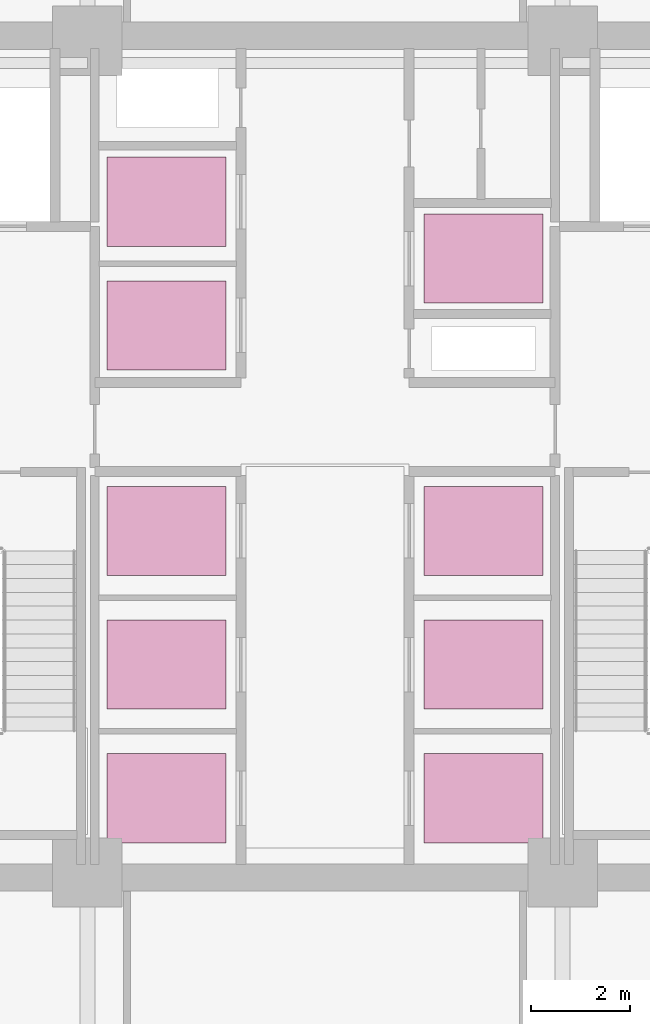
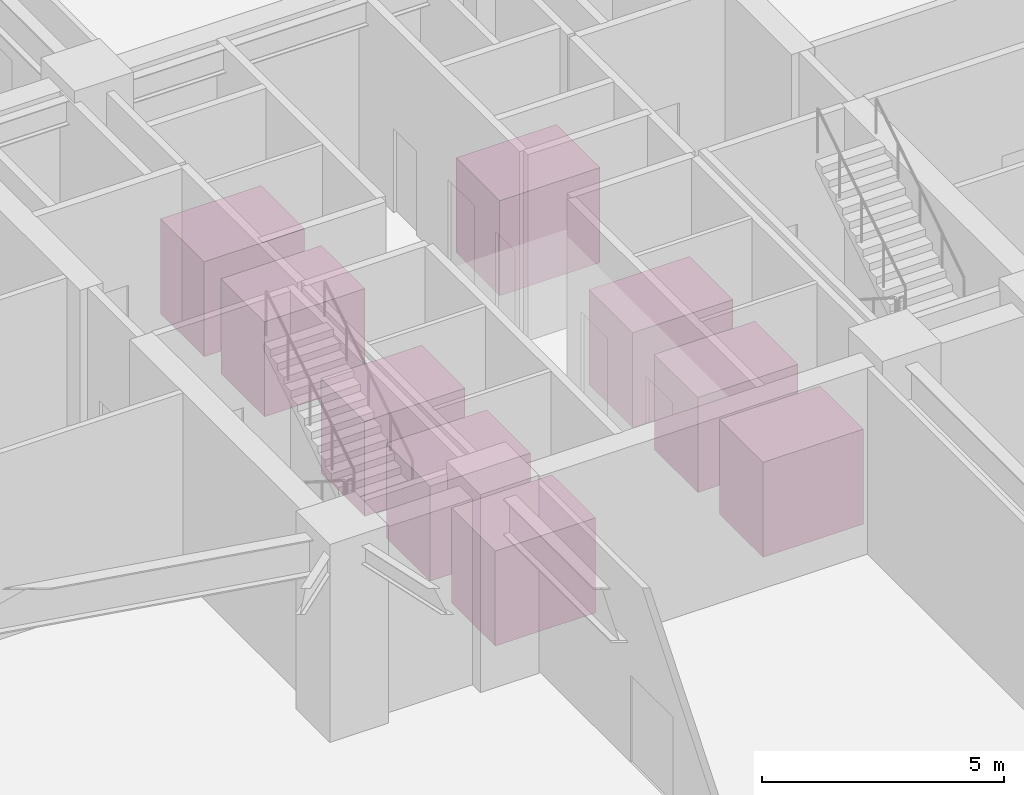
# One storey, part 21 of 21: 9 transport elements.
"""IFC4 building model written with IfcOpenShell, lengths in metres."""

import ifcopenshell
import ifcopenshell.guid

model = None  # the IFC model being written
_history = None  # IfcOwnerHistory: only IFC2X3 demands one
_inside = {}  # id of a spatial element -> (the spatial element, [elements in it])
_under = {}  # id of a project, library or spatial element -> (it, [spatial elements below it])
_declared = {}  # id of a project -> (the project, [libraries it declares])
_typed = {}  # id of a type object -> (the type object, [elements of that type])
_made_of = {}  # id of a material, layer set ... -> (it, [elements and type objects made of it])


def new_model(schema):
    """Start an empty IFC model of exactly this schema.

    Asked for "IFC4X3", IfcOpenShell would pick the latest addendum, in which some entities
    have other attributes; the version numbers below select the first issue.
    IFC2X3 requires an IfcOwnerHistory on every rooted entity: one is made here for all.
    """
    global model, _history
    if schema == "IFC4X3":
        model = ifcopenshell.file(schema_version=(4, 3, 0, 0))
    else:
        model = ifcopenshell.file(schema=schema)
    _inside.clear()
    _under.clear()
    _declared.clear()
    _typed.clear()
    _made_of.clear()
    _history = None
    if model.schema == "IFC2X3":
        org = make("IfcOrganization", Name="unknown")
        user = make(
            "IfcPersonAndOrganization",
            ThePerson=make("IfcPerson", FamilyName="unknown"),
            TheOrganization=org,
        )
        app = make(
            "IfcApplication",
            ApplicationDeveloper=org,
            Version="unknown",
            ApplicationFullName="unknown",
            ApplicationIdentifier="unknown",
        )
        _history = make(
            "IfcOwnerHistory",
            OwningUser=user,
            OwningApplication=app,
            ChangeAction="ADDED",
            CreationDate=0,
        )
    return model


def make(cls, **values):
    """One entity of the class cls with the attributes given. An attribute that is None is left unset."""
    return model.create_entity(
        cls, **{name: value for name, value in values.items() if value is not None}
    )


def rooted(cls, **values):
    """An entity with a GlobalId (a new one), such as an element, a storey or a relation."""
    return make(cls, GlobalId=ifcopenshell.guid.new(), OwnerHistory=_history, **values)


def si_unit(unit_type, name, prefix=None):
    """IfcSIUnit, for example si_unit("LENGTHUNIT", "METRE", prefix="MILLI")."""
    return make("IfcSIUnit", UnitType=unit_type, Prefix=prefix, Name=name)


def assignment(units):
    """IfcUnitAssignment: the units of a project."""
    return None if units is None else make("IfcUnitAssignment", Units=units)


def point(xyz):
    """IfcCartesianPoint."""
    return None if xyz is None else make("IfcCartesianPoint", Coordinates=xyz)


def direction(xyz):
    """IfcDirection."""
    return None if xyz is None else make("IfcDirection", DirectionRatios=xyz)


def frame(location, z_axis=None, x_axis=None):
    """IfcAxis2Placement3D, a coordinate frame: its origin and axes. An axis left out is left unset."""
    return make(
        "IfcAxis2Placement3D",
        Location=point(location),
        Axis=direction(z_axis),
        RefDirection=direction(x_axis),
    )


def frame_2d(location, x_axis=None):
    """IfcAxis2Placement2D, a coordinate frame in the plane: its origin and x axis."""
    return make(
        "IfcAxis2Placement2D", Location=point(location), RefDirection=direction(x_axis)
    )


def origin():
    """The frame at (0, 0, 0) with its axes left unset."""
    return frame((0.0, 0.0, 0.0))


def origin_2d():
    """The frame at (0, 0) in the plane with its x axis left unset."""
    return frame_2d((0.0, 0.0))


def place(relative_to, where):
    """IfcLocalPlacement: puts the frame where relative to a parent placement (None: the world)."""
    return make(
        "IfcLocalPlacement", PlacementRelTo=relative_to, RelativePlacement=where
    )


def context(
    kind, dimensions, precision=None, world=None, true_north=None, identifier=None
):
    """IfcGeometricRepresentationContext, for example the 3D "Model" context."""
    return make(
        "IfcGeometricRepresentationContext",
        ContextIdentifier=identifier,
        ContextType=kind,
        CoordinateSpaceDimension=dimensions,
        Precision=precision,
        WorldCoordinateSystem=world,
        TrueNorth=true_north,
    )


def subcontext(parent, identifier, kind, view, scale=None):
    """IfcGeometricRepresentationSubContext, for example "Body" below "Model"."""
    return make(
        "IfcGeometricRepresentationSubContext",
        ContextIdentifier=identifier,
        ContextType=kind,
        ParentContext=parent,
        TargetScale=scale,
        TargetView=view,
    )


def project(units=None, contexts=None):
    """IfcProject with its units and contexts."""
    return rooted(
        "IfcProject",
        Name="project",
        RepresentationContexts=contexts,
        UnitsInContext=assignment(units),
    )


def spatial(cls, under=None, at=None, **own):
    """A site, building, storey or space (cls), placed at a placement, below another one or the project."""
    s = rooted(cls, ObjectPlacement=at, **own)
    if under is not None:
        _under.setdefault(under.id(), (under, []))[1].append(s)
    return s


def profile(cls, at=None, kind="AREA", **sizes):
    """A parametric profile (cls). Its sizes go by their IFC names, for example OverallWidth=200.0."""
    return make(cls, ProfileType=kind, Position=at, **sizes)


def rectangle(**sizes):
    """IfcRectangleProfileDef."""
    return profile("IfcRectangleProfileDef", **sizes)


def extrude(swept, where, along, depth):
    """IfcExtrudedAreaSolid: the profile swept, set in the frame where, extruded along a direction by depth."""
    return make(
        "IfcExtrudedAreaSolid",
        SweptArea=swept,
        Position=where,
        ExtrudedDirection=direction(along),
        Depth=depth,
    )


def shape(context_of_items, identifier, shape_type, items):
    """IfcShapeRepresentation: the items that make up one representation, for example the "Body"."""
    return make(
        "IfcShapeRepresentation",
        ContextOfItems=context_of_items,
        RepresentationIdentifier=identifier,
        RepresentationType=shape_type,
        Items=items,
    )


def material(Name=None, Category=None):
    """IfcMaterial."""
    return make("IfcMaterial", Name=Name, Category=Category)


def made_of(thing, what):
    """Note that an element or type object is made of a material, layer set ...; save() writes the relation."""
    if what is not None:
        _made_of.setdefault(what.id(), (what, []))[1].append(thing)
    return thing


def type_object(cls, material=None, **own):
    """A type object (cls), such as IfcWallType, which elements share."""
    return made_of(rooted(cls, **own), material)


def element(
    cls,
    number,
    at=None,
    inside=None,
    cuts=None,
    type_object=None,
    material=None,
    context=None,
    identifier="Body",
    shape_type=None,
    held_by="IfcProductDefinitionShape",
    body=None,
    shapes=None,
    **own,
):
    """One element of the class cls, such as IfcWall. Its Tag is "e" and its number.

    at: its placement. inside: the storey or other place that contains it. cuts: it is an
    opening in that element (IfcRelVoidsElement). A single representation is given by context,
    identifier, shape_type and body (its items); several are given by shapes. held_by: the class
    of the entity that holds the representations. save() writes the other relations.
    """
    e = rooted(cls, Tag="e%d" % number, ObjectPlacement=at, **own)
    if body is not None:
        shapes = [shape(context, identifier, shape_type, body)]
    if shapes is not None:
        e.Representation = make(held_by, Representations=shapes)
    if inside is not None:
        _inside.setdefault(inside.id(), (inside, []))[1].append(e)
    if cuts is not None:
        rooted(
            "IfcRelVoidsElement", RelatingBuildingElement=cuts, RelatedOpeningElement=e
        )
    if type_object is not None:
        _typed.setdefault(type_object.id(), (type_object, []))[1].append(e)
    return made_of(e, material)


def aggregate(whole, parts):
    """IfcRelAggregates: a whole, such as a stair, and the parts it consists of."""
    return rooted("IfcRelAggregates", RelatingObject=whole, RelatedObjects=parts)


def save(model, path):
    """Write the relations noted so far, then the file.

    IfcRelAggregates (storeys below a building ...), IfcRelContainedInSpatialStructure (elements
    in a storey), IfcRelDefinesByType, IfcRelAssociatesMaterial and IfcRelDeclares: one each for
    every whole, place, type object, material and project.
    """
    for whole, parts in _under.values():
        aggregate(whole, parts)
    for where, things in _inside.values():
        rooted(
            "IfcRelContainedInSpatialStructure",
            RelatedElements=things,
            RelatingStructure=where,
        )
    for kind, things in _typed.values():
        rooted("IfcRelDefinesByType", RelatedObjects=things, RelatingType=kind)
    for what, things in _made_of.values():
        rooted("IfcRelAssociatesMaterial", RelatedObjects=things, RelatingMaterial=what)
    for by, libraries in _declared.values():
        rooted("IfcRelDeclares", RelatingContext=by, RelatedDefinitions=libraries)
    model.write(path)


model = new_model("IFC4")

# Units and contexts
model_context = context("Model", 3, precision=1e-05, world=origin(), true_north=direction((0.0, 1.0)))
body_context = subcontext(model_context, "Body", "Model", "MODEL_VIEW")
ifc_project = project(units=[si_unit("LENGTHUNIT", "METRE"), si_unit("AREAUNIT", "SQUARE_METRE"), si_unit("VOLUMEUNIT", "CUBIC_METRE"), si_unit("PLANEANGLEUNIT", "RADIAN"), si_unit("MASSUNIT", "GRAM", prefix="KILO")], contexts=[model_context])

# Site, building, storey
site_placement = place(None, origin())
site = spatial("IfcSite", under=ifc_project, at=site_placement, CompositionType="ELEMENT")
building_placement = place(site_placement, origin())
building = spatial("IfcBuilding", under=site, at=building_placement, Name="Cairnveth Concourse Tower", CompositionType="ELEMENT")
storey_placement = place(building_placement, origin())
storey = spatial("IfcBuildingStorey", under=building, at=storey_placement, Name="L00", CompositionType="ELEMENT", Elevation=0.0)

# Transport elements
ifc_material = material(Name="Architectural Bronze Anodised Aluminium 6063-T6", Category="aluminium")
transport_element_type_1 = type_object("IfcTransportElementType", Name="EXPRESS SKY ELEVATOR 1800KG", PredefinedType="ELEVATOR", material=ifc_material)
for number, where, z_axis, x_axis, name in (
    (1, (48.800048828125, 41.64990234375, 0.0), (0.0, 0.0, 1.0), (1.0, 0.0, 0.0), "Elevator Car PL7 (High-Rise Bank 3)"),
    (2, (48.800048828125, 44.14990234375, 0.0), (0.0, 0.0, 1.0), (1.0, 0.0, 0.0), "Elevator Car PL8 (High-Rise Bank 3)"),
    (3, (55.199951171875, 43.0, 0.0), (0.0, 0.0, 1.0), (1.0, 0.0, 0.0), "Elevator Car PL9 (Observation Express Bank 3)"),
):
    element("IfcTransportElement", number, at=place(storey_placement, frame(where, z_axis=z_axis, x_axis=x_axis)), inside=storey, type_object=transport_element_type_1, Name=name, PredefinedType="ELEVATOR", context=body_context, shape_type="SweptSolid", body=[
        extrude(rectangle(XDim=2.39990234375, YDim=1.800048828125, at=origin_2d()), origin(), (0.0, 0.0, 1.0), 2.39990234375),
    ])
transport_element_type_2 = type_object("IfcTransportElementType", Name="PASSENGER HIGH-SPEED ELEVATOR 1600KG", PredefinedType="ELEVATOR", material=ifc_material)
for number, where, z_axis, x_axis, name in (
    (4, (48.800048828125, 32.10009765625, 0.0), (0.0, 0.0, 1.0), (1.0, 0.0, 0.0), "Elevator Car PL1 (Low-Rise Bank 1)"),
    (5, (48.800048828125, 34.800048828125, 0.0), (0.0, 0.0, 1.0), (1.0, 0.0, 0.0), "Elevator Car PL2 (Low-Rise Bank 1)"),
    (6, (48.800048828125, 37.5, 0.0), (0.0, 0.0, 1.0), (1.0, 0.0, 0.0), "Elevator Car PL3 (Low-Rise Bank 1)"),
    (7, (55.199951171875, 32.10009765625, 0.0), (0.0, 0.0, 1.0), (1.0, 0.0, 0.0), "Elevator Car PL4 (Mid-Rise Bank 2)"),
    (8, (55.199951171875, 34.800048828125, 0.0), (0.0, 0.0, 1.0), (1.0, 0.0, 0.0), "Elevator Car PL5 (Mid-Rise Bank 2)"),
    (9, (55.199951171875, 37.5, 0.0), (0.0, 0.0, 1.0), (1.0, 0.0, 0.0), "Elevator Car PL6 (Mid-Rise Bank 2)"),
):
    element("IfcTransportElement", number, at=place(storey_placement, frame(where, z_axis=z_axis, x_axis=x_axis)), inside=storey, type_object=transport_element_type_2, Name=name, PredefinedType="ELEVATOR", context=body_context, shape_type="SweptSolid", body=[
        extrude(rectangle(XDim=2.39990234375, YDim=1.800048828125, at=origin_2d()), origin(), (0.0, 0.0, 1.0), 2.39990234375),
    ])

save(model, "model.ifc")
